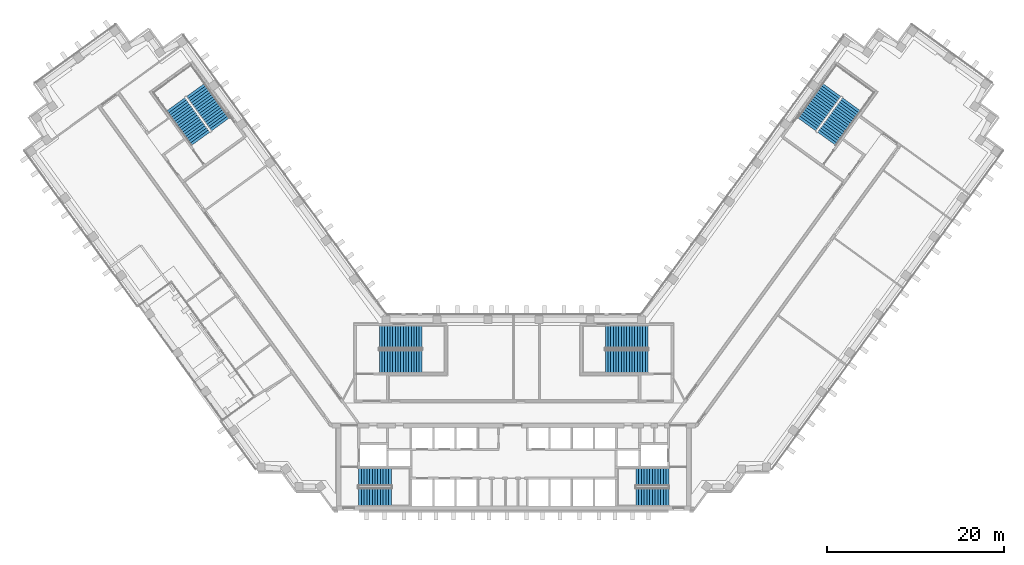
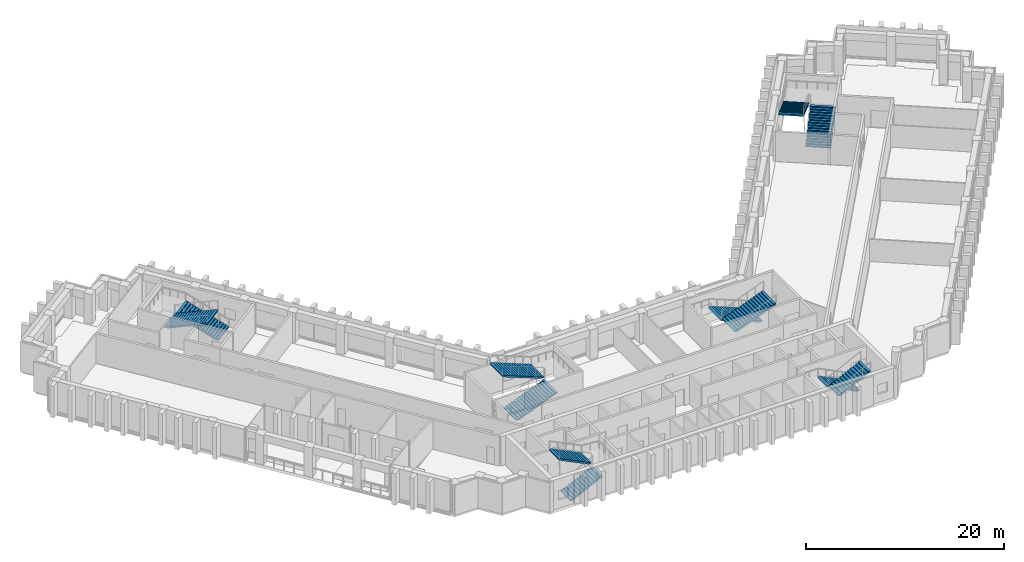
# One storey, part 13 of 16: 12 stair flights, 6 elements without a shape of their own.
"""IFC4 building model written with IfcOpenShell, lengths in metres."""

from ifc_helpers import new_model, si_unit, direction, frame, origin, place, context, subcontext, project, spatial, polyline, outline, extrude, material, type_object, element, aggregate, save


model = new_model("IFC4")

# Units and contexts
model_context = context("Model", 3, precision=1e-05, world=origin(), true_north=direction((0.0, 1.0)))
body_context = subcontext(model_context, "Body", "Model", "MODEL_VIEW")
ifc_project = project(units=[si_unit("LENGTHUNIT", "METRE"), si_unit("AREAUNIT", "SQUARE_METRE"), si_unit("VOLUMEUNIT", "CUBIC_METRE"), si_unit("PLANEANGLEUNIT", "RADIAN"), si_unit("MASSUNIT", "GRAM", prefix="KILO")], contexts=[model_context])

# Site, building, storey
site_placement = place(None, origin())
site = spatial("IfcSite", under=ifc_project, at=site_placement, CompositionType="ELEMENT")
building_placement = place(site_placement, origin())
building = spatial("IfcBuilding", under=site, at=building_placement, Name="Quipu Civic Tower", CompositionType="ELEMENT")
storey_placement = place(building_placement, frame((0.0, 0.0, 55.0)))
storey = spatial("IfcBuildingStorey", under=building, at=storey_placement, Name="L12", CompositionType="ELEMENT", Elevation=55.0)

# Stair, stair flights
ifc_material_1 = material(Name="Concrete C40/50", Category="concrete")
stair_type_1 = type_object("IfcStairType", Name="Half turn stair 2000", PredefinedType="HALF_TURN_STAIR", material=ifc_material_1)
stair_1_placement = place(storey_placement, origin())
stair_1 = element("IfcStair", 1, at=stair_1_placement, inside=storey, type_object=stair_type_1, Name="Exit stair 1", PredefinedType="HALF_TURN_STAIR")
ifc_material_2 = material(Name="Concrete C40/50", Category="concrete")
stair_flight_type_1 = type_object("IfcStairFlightType", Name="Stair flight 2000", PredefinedType="STRAIGHT", material=ifc_material_2)
stair_flight_1_placement = place(storey_placement, frame((-17.5, -9.5, 0.0), z_axis=(0.0, 0.0, 1.0), x_axis=(1.0, 0.0, 0.0)))
stair_flight_1 = element("IfcStairFlight", 2, at=stair_flight_1_placement, type_object=stair_flight_type_1, Name="ST-1 flight 1", NumberOfRisers=13, NumberOfTreads=12, PredefinedType="STRAIGHT", RiserHeight=0.153846154, TreadLength=0.31, context=body_context, shape_type="SweptSolid", body=[
    extrude(outline(polyline([(0.0, 0.0), (0.0, 0.15380859375), (0.31005859375, 0.15380859375), (0.31005859375, 0.3076171875), (0.6201171875, 0.3076171875), (0.6201171875, 0.46142578125), (0.929931640625, 0.46142578125), (0.929931640625, 0.615478515625), (1.239990234375, 0.615478515625), (1.239990234375, 0.769287109375), (1.550048828125, 0.769287109375), (1.550048828125, 0.923095703125), (1.860107421875, 0.923095703125), (1.860107421875, 1.076904296875), (2.169921875, 1.076904296875), (2.169921875, 1.230712890625), (2.47998046875, 1.230712890625), (2.47998046875, 1.384521484375), (2.7900390625, 1.384521484375), (2.7900390625, 1.53857421875), (3.10009765625, 1.53857421875), (3.10009765625, 1.6923828125), (3.409912109375, 1.6923828125), (3.409912109375, 1.84619140625), (3.719970703125, 1.84619140625), (3.719970703125, 2.0), (3.719970703125, 1.6787109375), (0.337158203125, 0.0), (0.0, 0.0)])), frame((0.0, 1.0, 0.0), z_axis=(0.0, -1.0, 0.0), x_axis=(1.0, 0.0, 0.0)), (0.0, 0.0, 1.0), 2.0),
])
stair_flight_2_placement = place(storey_placement, frame((-13.780029296875, -7.25, 2.0), z_axis=(0.0, 0.0, 1.0), x_axis=(-1.0, 0.0, 0.0)))
stair_flight_2 = element("IfcStairFlight", 3, at=stair_flight_2_placement, type_object=stair_flight_type_1, Name="ST-1 flight 2", NumberOfRisers=13, NumberOfTreads=12, PredefinedType="STRAIGHT", RiserHeight=0.153846154, TreadLength=0.31, context=body_context, shape_type="SweptSolid", body=[
    extrude(outline(polyline([(0.0, 0.0), (0.0, 0.15380859375), (0.31005859375, 0.15380859375), (0.31005859375, 0.3076171875), (0.6201171875, 0.3076171875), (0.6201171875, 0.46142578125), (0.929931640625, 0.46142578125), (0.929931640625, 0.615478515625), (1.239990234375, 0.615478515625), (1.239990234375, 0.769287109375), (1.550048828125, 0.769287109375), (1.550048828125, 0.923095703125), (1.860107421875, 0.923095703125), (1.860107421875, 1.076904296875), (2.169921875, 1.076904296875), (2.169921875, 1.230712890625), (2.47998046875, 1.230712890625), (2.47998046875, 1.384521484375), (2.7900390625, 1.384521484375), (2.7900390625, 1.53857421875), (3.10009765625, 1.53857421875), (3.10009765625, 1.6923828125), (3.409912109375, 1.6923828125), (3.409912109375, 1.84619140625), (3.719970703125, 1.84619140625), (3.719970703125, 2.0), (3.719970703125, 1.6787109375), (0.337158203125, 0.0), (0.0, 0.0)])), frame((0.0, 1.0, 0.0), z_axis=(0.0, -1.0, 0.0), x_axis=(1.0, 0.0, 0.0)), (0.0, 0.0, 1.0), 2.0),
])
aggregate(stair_1, [stair_flight_1, stair_flight_2])

stair_2_placement = place(storey_placement, origin())
stair_2 = element("IfcStair", 4, at=stair_2_placement, inside=storey, type_object=stair_type_1, Name="Exit stair 2", PredefinedType="HALF_TURN_STAIR")
stair_flight_3_placement = place(storey_placement, frame((17.5, -7.25, 0.0), z_axis=(0.0, 0.0, 1.0), x_axis=(-1.0, 0.0, 0.0)))
stair_flight_3 = element("IfcStairFlight", 5, at=stair_flight_3_placement, type_object=stair_flight_type_1, Name="ST-2 flight 1", NumberOfRisers=13, NumberOfTreads=12, PredefinedType="STRAIGHT", RiserHeight=0.153846154, TreadLength=0.31, context=body_context, shape_type="SweptSolid", body=[
    extrude(outline(polyline([(0.0, 0.0), (0.0, 0.15380859375), (0.31005859375, 0.15380859375), (0.31005859375, 0.3076171875), (0.6201171875, 0.3076171875), (0.6201171875, 0.46142578125), (0.929931640625, 0.46142578125), (0.929931640625, 0.615478515625), (1.239990234375, 0.615478515625), (1.239990234375, 0.769287109375), (1.550048828125, 0.769287109375), (1.550048828125, 0.923095703125), (1.860107421875, 0.923095703125), (1.860107421875, 1.076904296875), (2.169921875, 1.076904296875), (2.169921875, 1.230712890625), (2.47998046875, 1.230712890625), (2.47998046875, 1.384521484375), (2.7900390625, 1.384521484375), (2.7900390625, 1.53857421875), (3.10009765625, 1.53857421875), (3.10009765625, 1.6923828125), (3.409912109375, 1.6923828125), (3.409912109375, 1.84619140625), (3.719970703125, 1.84619140625), (3.719970703125, 2.0), (3.719970703125, 1.6787109375), (0.337158203125, 0.0), (0.0, 0.0)])), frame((0.0, 1.0, 0.0), z_axis=(0.0, -1.0, 0.0), x_axis=(1.0, 0.0, 0.0)), (0.0, 0.0, 1.0), 2.0),
])
stair_flight_4_placement = place(storey_placement, frame((13.780029296875, -9.5, 2.0), z_axis=(0.0, 0.0, 1.0), x_axis=(1.0, 0.0, 0.0)))
stair_flight_4 = element("IfcStairFlight", 6, at=stair_flight_4_placement, type_object=stair_flight_type_1, Name="ST-2 flight 2", NumberOfRisers=13, NumberOfTreads=12, PredefinedType="STRAIGHT", RiserHeight=0.153846154, TreadLength=0.31, context=body_context, shape_type="SweptSolid", body=[
    extrude(outline(polyline([(0.0, 0.0), (0.0, 0.15380859375), (0.31005859375, 0.15380859375), (0.31005859375, 0.3076171875), (0.6201171875, 0.3076171875), (0.6201171875, 0.46142578125), (0.929931640625, 0.46142578125), (0.929931640625, 0.615478515625), (1.239990234375, 0.615478515625), (1.239990234375, 0.769287109375), (1.550048828125, 0.769287109375), (1.550048828125, 0.923095703125), (1.860107421875, 0.923095703125), (1.860107421875, 1.076904296875), (2.169921875, 1.076904296875), (2.169921875, 1.230712890625), (2.47998046875, 1.230712890625), (2.47998046875, 1.384521484375), (2.7900390625, 1.384521484375), (2.7900390625, 1.53857421875), (3.10009765625, 1.53857421875), (3.10009765625, 1.6923828125), (3.409912109375, 1.6923828125), (3.409912109375, 1.84619140625), (3.719970703125, 1.84619140625), (3.719970703125, 2.0), (3.719970703125, 1.6787109375), (0.337158203125, 0.0), (0.0, 0.0)])), frame((0.0, 1.0, 0.0), z_axis=(0.0, -1.0, 0.0), x_axis=(1.0, 0.0, 0.0)), (0.0, 0.0, 1.0), 2.0),
])
aggregate(stair_2, [stair_flight_3, stair_flight_4])

ifc_material_3 = material(Name="Concrete C40/50", Category="concrete")
stair_type_2 = type_object("IfcStairType", Name="Half turn stair 2600", PredefinedType="HALF_TURN_STAIR", material=ifc_material_3)
stair_3_placement = place(storey_placement, origin())
stair_3 = element("IfcStair", 7, at=stair_3_placement, inside=storey, type_object=stair_type_2, Name="Exit stair 3", PredefinedType="HALF_TURN_STAIR")
ifc_material_4 = material(Name="Concrete C40/50", Category="concrete")
stair_flight_type_2 = type_object("IfcStairFlightType", Name="Stair flight 2600", PredefinedType="STRAIGHT", material=ifc_material_4)
stair_flight_5_placement = place(storey_placement, frame((-15.14990234375, 5.800048828125, 0.0), z_axis=(0.0, 0.0, 1.0), x_axis=(1.0, 0.0, 0.0)))
stair_flight_5 = element("IfcStairFlight", 8, at=stair_flight_5_placement, type_object=stair_flight_type_2, Name="ST-3 flight 1", NumberOfRisers=17, NumberOfTreads=16, PredefinedType="STRAIGHT", RiserHeight=0.117647059, TreadLength=0.3, context=body_context, shape_type="SweptSolid", body=[
    extrude(outline(polyline([(0.0, 0.0), (0.0, 0.11767578125), (0.300048828125, 0.11767578125), (0.300048828125, 0.2353515625), (0.60009765625, 0.2353515625), (0.60009765625, 0.35302734375), (0.89990234375, 0.35302734375), (0.89990234375, 0.470703125), (1.199951171875, 0.470703125), (1.199951171875, 0.588134765625), (1.5, 0.588134765625), (1.5, 0.705810546875), (1.800048828125, 0.705810546875), (1.800048828125, 0.823486328125), (2.10009765625, 0.823486328125), (2.10009765625, 0.941162109375), (2.39990234375, 0.941162109375), (2.39990234375, 1.058837890625), (2.699951171875, 1.058837890625), (2.699951171875, 1.176513671875), (3.0, 1.176513671875), (3.0, 1.294189453125), (3.300048828125, 1.294189453125), (3.300048828125, 1.411865234375), (3.60009765625, 1.411865234375), (3.60009765625, 1.529296875), (3.89990234375, 1.529296875), (3.89990234375, 1.64697265625), (4.199951171875, 1.64697265625), (4.199951171875, 1.7646484375), (4.5, 1.7646484375), (4.5, 1.88232421875), (4.800048828125, 1.88232421875), (4.800048828125, 2.0), (4.800048828125, 1.721435546875), (0.41064453125, 0.0), (0.0, 0.0)])), frame((0.0, 1.300048828125, 0.0), z_axis=(0.0, -1.0, 0.0), x_axis=(1.0, 0.0, 0.0)), (0.0, 0.0, 1.0), 2.60009765625),
])
stair_flight_6_placement = place(storey_placement, frame((-10.35009765625, 8.550048828125, 2.0), z_axis=(0.0, 0.0, 1.0), x_axis=(-1.0, 0.0, 0.0)))
stair_flight_6 = element("IfcStairFlight", 9, at=stair_flight_6_placement, type_object=stair_flight_type_2, Name="ST-3 flight 2", NumberOfRisers=17, NumberOfTreads=16, PredefinedType="STRAIGHT", RiserHeight=0.117647059, TreadLength=0.3, context=body_context, shape_type="SweptSolid", body=[
    extrude(outline(polyline([(0.0, 0.0), (0.0, 0.11767578125), (0.300048828125, 0.11767578125), (0.300048828125, 0.2353515625), (0.60009765625, 0.2353515625), (0.60009765625, 0.35302734375), (0.89990234375, 0.35302734375), (0.89990234375, 0.470703125), (1.199951171875, 0.470703125), (1.199951171875, 0.588134765625), (1.5, 0.588134765625), (1.5, 0.705810546875), (1.800048828125, 0.705810546875), (1.800048828125, 0.823486328125), (2.10009765625, 0.823486328125), (2.10009765625, 0.941162109375), (2.39990234375, 0.941162109375), (2.39990234375, 1.058837890625), (2.699951171875, 1.058837890625), (2.699951171875, 1.176513671875), (3.0, 1.176513671875), (3.0, 1.294189453125), (3.300048828125, 1.294189453125), (3.300048828125, 1.411865234375), (3.60009765625, 1.411865234375), (3.60009765625, 1.529296875), (3.89990234375, 1.529296875), (3.89990234375, 1.64697265625), (4.199951171875, 1.64697265625), (4.199951171875, 1.7646484375), (4.5, 1.7646484375), (4.5, 1.88232421875), (4.800048828125, 1.88232421875), (4.800048828125, 2.0), (4.800048828125, 1.721435546875), (0.41064453125, 0.0), (0.0, 0.0)])), frame((0.0, 1.300048828125, 0.0), z_axis=(0.0, -1.0, 0.0), x_axis=(1.0, 0.0, 0.0)), (0.0, 0.0, 1.0), 2.60009765625),
])
aggregate(stair_3, [stair_flight_5, stair_flight_6])

stair_4_placement = place(storey_placement, origin())
stair_4 = element("IfcStair", 10, at=stair_4_placement, inside=storey, type_object=stair_type_2, Name="Exit stair 4", PredefinedType="HALF_TURN_STAIR")
stair_flight_7_placement = place(storey_placement, frame((15.14990234375, 8.550048828125, 0.0), z_axis=(0.0, 0.0, 1.0), x_axis=(-1.0, 0.0, 0.0)))
stair_flight_7 = element("IfcStairFlight", 11, at=stair_flight_7_placement, type_object=stair_flight_type_2, Name="ST-4 flight 1", NumberOfRisers=17, NumberOfTreads=16, PredefinedType="STRAIGHT", RiserHeight=0.117647059, TreadLength=0.3, context=body_context, shape_type="SweptSolid", body=[
    extrude(outline(polyline([(0.0, 0.0), (0.0, 0.11767578125), (0.300048828125, 0.11767578125), (0.300048828125, 0.2353515625), (0.60009765625, 0.2353515625), (0.60009765625, 0.35302734375), (0.89990234375, 0.35302734375), (0.89990234375, 0.470703125), (1.199951171875, 0.470703125), (1.199951171875, 0.588134765625), (1.5, 0.588134765625), (1.5, 0.705810546875), (1.800048828125, 0.705810546875), (1.800048828125, 0.823486328125), (2.10009765625, 0.823486328125), (2.10009765625, 0.941162109375), (2.39990234375, 0.941162109375), (2.39990234375, 1.058837890625), (2.699951171875, 1.058837890625), (2.699951171875, 1.176513671875), (3.0, 1.176513671875), (3.0, 1.294189453125), (3.300048828125, 1.294189453125), (3.300048828125, 1.411865234375), (3.60009765625, 1.411865234375), (3.60009765625, 1.529296875), (3.89990234375, 1.529296875), (3.89990234375, 1.64697265625), (4.199951171875, 1.64697265625), (4.199951171875, 1.7646484375), (4.5, 1.7646484375), (4.5, 1.88232421875), (4.800048828125, 1.88232421875), (4.800048828125, 2.0), (4.800048828125, 1.721435546875), (0.41064453125, 0.0), (0.0, 0.0)])), frame((0.0, 1.300048828125, 0.0), z_axis=(0.0, -1.0, 0.0), x_axis=(1.0, 0.0, 0.0)), (0.0, 0.0, 1.0), 2.60009765625),
])
stair_flight_8_placement = place(storey_placement, frame((10.35009765625, 5.800048828125, 2.0), z_axis=(0.0, 0.0, 1.0), x_axis=(1.0, 0.0, 0.0)))
stair_flight_8 = element("IfcStairFlight", 12, at=stair_flight_8_placement, type_object=stair_flight_type_2, Name="ST-4 flight 2", NumberOfRisers=17, NumberOfTreads=16, PredefinedType="STRAIGHT", RiserHeight=0.117647059, TreadLength=0.3, context=body_context, shape_type="SweptSolid", body=[
    extrude(outline(polyline([(0.0, 0.0), (0.0, 0.11767578125), (0.300048828125, 0.11767578125), (0.300048828125, 0.2353515625), (0.60009765625, 0.2353515625), (0.60009765625, 0.35302734375), (0.89990234375, 0.35302734375), (0.89990234375, 0.470703125), (1.199951171875, 0.470703125), (1.199951171875, 0.588134765625), (1.5, 0.588134765625), (1.5, 0.705810546875), (1.800048828125, 0.705810546875), (1.800048828125, 0.823486328125), (2.10009765625, 0.823486328125), (2.10009765625, 0.941162109375), (2.39990234375, 0.941162109375), (2.39990234375, 1.058837890625), (2.699951171875, 1.058837890625), (2.699951171875, 1.176513671875), (3.0, 1.176513671875), (3.0, 1.294189453125), (3.300048828125, 1.294189453125), (3.300048828125, 1.411865234375), (3.60009765625, 1.411865234375), (3.60009765625, 1.529296875), (3.89990234375, 1.529296875), (3.89990234375, 1.64697265625), (4.199951171875, 1.64697265625), (4.199951171875, 1.7646484375), (4.5, 1.7646484375), (4.5, 1.88232421875), (4.800048828125, 1.88232421875), (4.800048828125, 2.0), (4.800048828125, 1.721435546875), (0.41064453125, 0.0), (0.0, 0.0)])), frame((0.0, 1.300048828125, 0.0), z_axis=(0.0, -1.0, 0.0), x_axis=(1.0, 0.0, 0.0)), (0.0, 0.0, 1.0), 2.60009765625),
])
aggregate(stair_4, [stair_flight_7, stair_flight_8])

stair_5_placement = place(storey_placement, origin())
stair_5 = element("IfcStair", 13, at=stair_5_placement, inside=storey, type_object=stair_type_2, Name="Exit stair 6", PredefinedType="HALF_TURN_STAIR")
stair_flight_9_placement = place(storey_placement, frame((-33.067626953125, 32.5322265625, 0.0), z_axis=(0.0, 0.0, 1.0), x_axis=(-0.587785252292, 0.809016994375, 0.0)))
stair_flight_9 = element("IfcStairFlight", 14, at=stair_flight_9_placement, type_object=stair_flight_type_2, Name="ST-6 flight 1", NumberOfRisers=17, NumberOfTreads=16, PredefinedType="STRAIGHT", RiserHeight=0.117647059, TreadLength=0.3, context=body_context, shape_type="SweptSolid", body=[
    extrude(outline(polyline([(0.0, 0.0), (0.0, 0.11767578125), (0.300048828125, 0.11767578125), (0.300048828125, 0.2353515625), (0.60009765625, 0.2353515625), (0.60009765625, 0.35302734375), (0.89990234375, 0.35302734375), (0.89990234375, 0.470703125), (1.199951171875, 0.470703125), (1.199951171875, 0.588134765625), (1.5, 0.588134765625), (1.5, 0.705810546875), (1.800048828125, 0.705810546875), (1.800048828125, 0.823486328125), (2.10009765625, 0.823486328125), (2.10009765625, 0.941162109375), (2.39990234375, 0.941162109375), (2.39990234375, 1.058837890625), (2.699951171875, 1.058837890625), (2.699951171875, 1.176513671875), (3.0, 1.176513671875), (3.0, 1.294189453125), (3.300048828125, 1.294189453125), (3.300048828125, 1.411865234375), (3.60009765625, 1.411865234375), (3.60009765625, 1.529296875), (3.89990234375, 1.529296875), (3.89990234375, 1.64697265625), (4.199951171875, 1.64697265625), (4.199951171875, 1.7646484375), (4.5, 1.7646484375), (4.5, 1.88232421875), (4.800048828125, 1.88232421875), (4.800048828125, 2.0), (4.800048828125, 1.721435546875), (0.41064453125, 0.0), (0.0, 0.0)])), frame((0.0, 1.300048828125, 0.0), z_axis=(0.0, -1.0, 0.0), x_axis=(1.0, 0.0, 0.0)), (0.0, 0.0, 1.0), 2.60009765625),
])
stair_flight_10_placement = place(storey_placement, frame((-38.11376953125, 34.799072265625, 2.0), z_axis=(0.0, 0.0, 1.0), x_axis=(0.587785252292, -0.809016994375, 0.0)))
stair_flight_10 = element("IfcStairFlight", 15, at=stair_flight_10_placement, type_object=stair_flight_type_2, Name="ST-6 flight 2", NumberOfRisers=17, NumberOfTreads=16, PredefinedType="STRAIGHT", RiserHeight=0.117647059, TreadLength=0.3, context=body_context, shape_type="SweptSolid", body=[
    extrude(outline(polyline([(0.0, 0.0), (0.0, 0.11767578125), (0.300048828125, 0.11767578125), (0.300048828125, 0.2353515625), (0.60009765625, 0.2353515625), (0.60009765625, 0.35302734375), (0.89990234375, 0.35302734375), (0.89990234375, 0.470703125), (1.199951171875, 0.470703125), (1.199951171875, 0.588134765625), (1.5, 0.588134765625), (1.5, 0.705810546875), (1.800048828125, 0.705810546875), (1.800048828125, 0.823486328125), (2.10009765625, 0.823486328125), (2.10009765625, 0.941162109375), (2.39990234375, 0.941162109375), (2.39990234375, 1.058837890625), (2.699951171875, 1.058837890625), (2.699951171875, 1.176513671875), (3.0, 1.176513671875), (3.0, 1.294189453125), (3.300048828125, 1.294189453125), (3.300048828125, 1.411865234375), (3.60009765625, 1.411865234375), (3.60009765625, 1.529296875), (3.89990234375, 1.529296875), (3.89990234375, 1.64697265625), (4.199951171875, 1.64697265625), (4.199951171875, 1.7646484375), (4.5, 1.7646484375), (4.5, 1.88232421875), (4.800048828125, 1.88232421875), (4.800048828125, 2.0), (4.800048828125, 1.721435546875), (0.41064453125, 0.0), (0.0, 0.0)])), frame((0.0, 1.300048828125, 0.0), z_axis=(0.0, -1.0, 0.0), x_axis=(1.0, 0.0, 0.0)), (0.0, 0.0, 1.0), 2.60009765625),
])
aggregate(stair_5, [stair_flight_9, stair_flight_10])

stair_6_placement = place(storey_placement, origin())
stair_6 = element("IfcStair", 16, at=stair_6_placement, inside=storey, type_object=stair_type_2, Name="Exit stair 7", PredefinedType="HALF_TURN_STAIR")
stair_flight_11_placement = place(storey_placement, frame((35.29248046875, 30.915771484375, 0.0), z_axis=(0.0, 0.0, 1.0), x_axis=(0.587785252292, 0.809016994375, 0.0)))
stair_flight_11 = element("IfcStairFlight", 17, at=stair_flight_11_placement, type_object=stair_flight_type_2, Name="ST-7 flight 1", NumberOfRisers=17, NumberOfTreads=16, PredefinedType="STRAIGHT", RiserHeight=0.117647059, TreadLength=0.3, context=body_context, shape_type="SweptSolid", body=[
    extrude(outline(polyline([(0.0, 0.0), (0.0, 0.11767578125), (0.300048828125, 0.11767578125), (0.300048828125, 0.2353515625), (0.60009765625, 0.2353515625), (0.60009765625, 0.35302734375), (0.89990234375, 0.35302734375), (0.89990234375, 0.470703125), (1.199951171875, 0.470703125), (1.199951171875, 0.588134765625), (1.5, 0.588134765625), (1.5, 0.705810546875), (1.800048828125, 0.705810546875), (1.800048828125, 0.823486328125), (2.10009765625, 0.823486328125), (2.10009765625, 0.941162109375), (2.39990234375, 0.941162109375), (2.39990234375, 1.058837890625), (2.699951171875, 1.058837890625), (2.699951171875, 1.176513671875), (3.0, 1.176513671875), (3.0, 1.294189453125), (3.300048828125, 1.294189453125), (3.300048828125, 1.411865234375), (3.60009765625, 1.411865234375), (3.60009765625, 1.529296875), (3.89990234375, 1.529296875), (3.89990234375, 1.64697265625), (4.199951171875, 1.64697265625), (4.199951171875, 1.7646484375), (4.5, 1.7646484375), (4.5, 1.88232421875), (4.800048828125, 1.88232421875), (4.800048828125, 2.0), (4.800048828125, 1.721435546875), (0.41064453125, 0.0), (0.0, 0.0)])), frame((0.0, 1.300048828125, 0.0), z_axis=(0.0, -1.0, 0.0), x_axis=(1.0, 0.0, 0.0)), (0.0, 0.0, 1.0), 2.60009765625),
])
stair_flight_12_placement = place(storey_placement, frame((35.888916015625, 36.41552734375, 2.0), z_axis=(0.0, 0.0, 1.0), x_axis=(-0.587785252292, -0.809016994375, 0.0)))
stair_flight_12 = element("IfcStairFlight", 18, at=stair_flight_12_placement, type_object=stair_flight_type_2, Name="ST-7 flight 2", NumberOfRisers=17, NumberOfTreads=16, PredefinedType="STRAIGHT", RiserHeight=0.117647059, TreadLength=0.3, context=body_context, shape_type="SweptSolid", body=[
    extrude(outline(polyline([(0.0, 0.0), (0.0, 0.11767578125), (0.300048828125, 0.11767578125), (0.300048828125, 0.2353515625), (0.60009765625, 0.2353515625), (0.60009765625, 0.35302734375), (0.89990234375, 0.35302734375), (0.89990234375, 0.470703125), (1.199951171875, 0.470703125), (1.199951171875, 0.588134765625), (1.5, 0.588134765625), (1.5, 0.705810546875), (1.800048828125, 0.705810546875), (1.800048828125, 0.823486328125), (2.10009765625, 0.823486328125), (2.10009765625, 0.941162109375), (2.39990234375, 0.941162109375), (2.39990234375, 1.058837890625), (2.699951171875, 1.058837890625), (2.699951171875, 1.176513671875), (3.0, 1.176513671875), (3.0, 1.294189453125), (3.300048828125, 1.294189453125), (3.300048828125, 1.411865234375), (3.60009765625, 1.411865234375), (3.60009765625, 1.529296875), (3.89990234375, 1.529296875), (3.89990234375, 1.64697265625), (4.199951171875, 1.64697265625), (4.199951171875, 1.7646484375), (4.5, 1.7646484375), (4.5, 1.88232421875), (4.800048828125, 1.88232421875), (4.800048828125, 2.0), (4.800048828125, 1.721435546875), (0.41064453125, 0.0), (0.0, 0.0)])), frame((0.0, 1.300048828125, 0.0), z_axis=(0.0, -1.0, 0.0), x_axis=(1.0, 0.0, 0.0)), (0.0, 0.0, 1.0), 2.60009765625),
])
aggregate(stair_6, [stair_flight_11, stair_flight_12])

save(model, "model.ifc")
